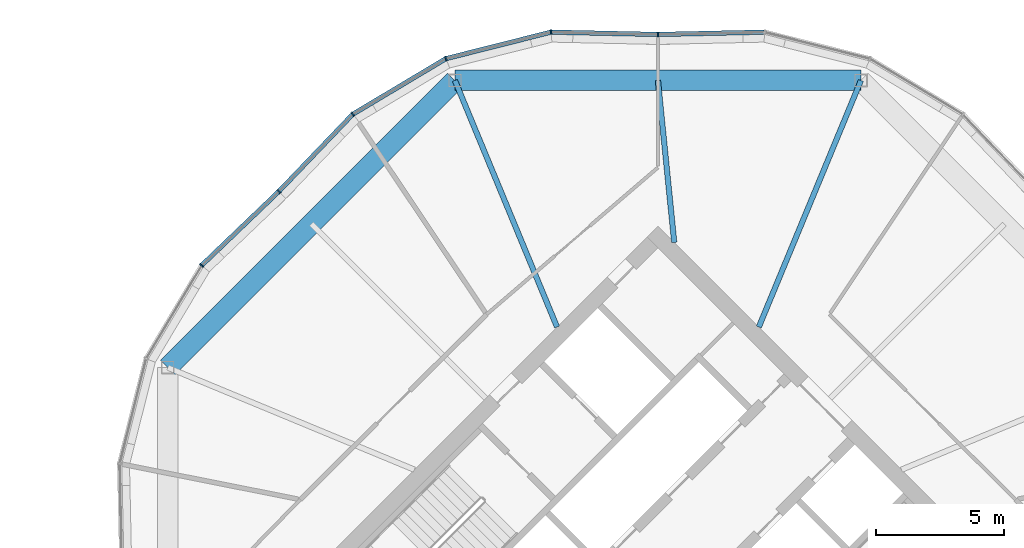
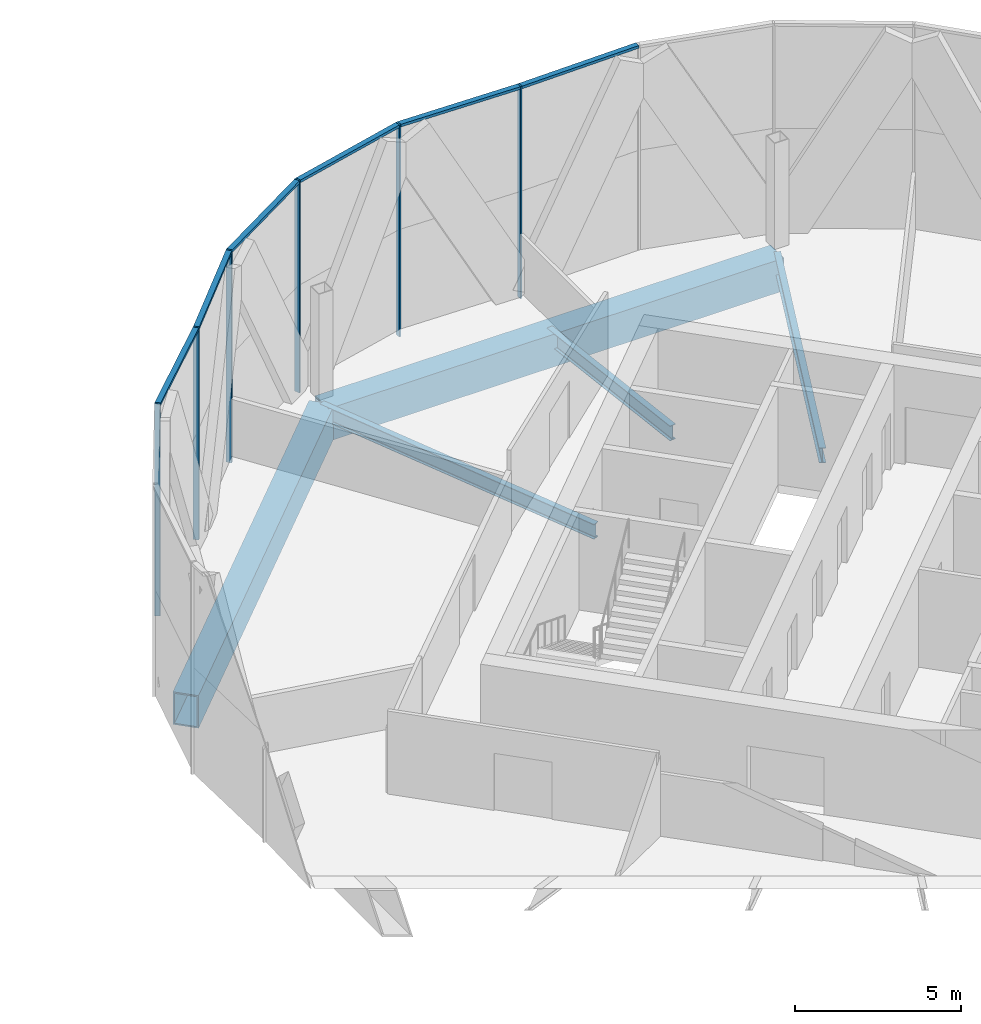
# One storey, part 13 of 26: 12 members, 5 beams, 3 elements without a shape of their own.
"""IFC4 building model written with IfcOpenShell, lengths in metres."""

from ifc_helpers import new_model, si_unit, direction, frame, origin, origin_2d, place, context, subcontext, project, spatial, rectangle, hollow_rectangle, i_section, extrude, material, material_profile, profile_set, type_object, element, aggregate, save


model = new_model("IFC4")

# Units and contexts
model_context = context("Model", 3, precision=1e-05, world=origin(), true_north=direction((0.0, 1.0)))
body_context = subcontext(model_context, "Body", "Model", "MODEL_VIEW")
ifc_project = project(units=[si_unit("LENGTHUNIT", "METRE"), si_unit("AREAUNIT", "SQUARE_METRE"), si_unit("VOLUMEUNIT", "CUBIC_METRE"), si_unit("PLANEANGLEUNIT", "RADIAN"), si_unit("MASSUNIT", "GRAM", prefix="KILO")], contexts=[model_context])

# Site, building, storey
site_placement = place(None, origin())
site = spatial("IfcSite", under=ifc_project, at=site_placement, CompositionType="ELEMENT")
building_placement = place(site_placement, origin())
building = spatial("IfcBuilding", under=site, at=building_placement, Name="Ogive Gate Towers", CompositionType="ELEMENT")
storey_placement = place(building_placement, frame((0.0, 0.0, 208.5)))
storey = spatial("IfcBuildingStorey", under=building, at=storey_placement, Name="L50", CompositionType="ELEMENT", Elevation=208.5)

# Beams
ifc_material_1 = material(Name="Steel SM460", Category="steel")
ifc_material_profile_1 = material_profile(ifc_material_1, hollow_rectangle(XDim=0.800048828125, YDim=1.199951171875, WallThickness=0.050048828125, at=origin_2d()), Name="BX 1200x800x50")
ifc_profile_set_1 = profile_set([ifc_material_profile_1], Name="Steel SM460")
beam_type_1 = type_object("IfcBeamType", Name="Edge girder BX 1200x800x50", PredefinedType="BEAM", material=ifc_profile_set_1)
beam_1_placement = place(storey_placement, frame((43.917724609375, 19.114990234375, -0.89990234375), z_axis=(-1.0, 0.0, 0.0), x_axis=(0.0, -1.0, 0.0)))
element("IfcBeam", 1, at=beam_1_placement, inside=storey, type_object=beam_type_1, Name="T2/L50/SBM022", PredefinedType="BEAM", context=body_context, shape_type="SweptSolid", body=[
    extrude(hollow_rectangle(XDim=0.800048828125, YDim=1.199951171875, WallThickness=0.050048828125, at=origin_2d()), origin(), (0.0, 0.0, 1.0), 15.83544921875),
])
beam_2_placement = place(storey_placement, frame((28.082275390625, 19.114990234375, -0.89990234375), z_axis=(-0.707106781187, -0.707106781187, 0.0), x_axis=(0.707106781187, -0.707106781187, 0.0)))
element("IfcBeam", 2, at=beam_2_placement, inside=storey, type_object=beam_type_1, Name="T2/L50/SBM023", PredefinedType="BEAM", context=body_context, shape_type="SweptSolid", body=[
    extrude(hollow_rectangle(XDim=0.800048828125, YDim=1.199951171875, WallThickness=0.050048828125, at=origin_2d()), origin(), (0.0, 0.0, 1.0), 15.835205078125),
])
ifc_material_2 = material(Name="Steel SM355", Category="steel")
ifc_material_profile_2 = material_profile(ifc_material_2, i_section(OverallWidth=0.2099609375, OverallDepth=0.550048828125, WebThickness=0.010986328125, FlangeThickness=0.01708984375, FilletRadius=0.02392578125, at=origin_2d()), Name="IPE 550")
ifc_profile_set_2 = profile_set([ifc_material_profile_2], Name="Steel SM355")
beam_type_2 = type_object("IfcBeamType", Name="Radial floor beam IPE 550", PredefinedType="BEAM", material=ifc_profile_set_2)
beam_3_placement = place(storey_placement, frame((39.93505859375, 9.5, -0.574951171875), z_axis=(0.382683978464, 0.92387930631, 0.0), x_axis=(-0.92387930631, 0.382683978464, 0.0)))
element("IfcBeam", 3, at=beam_3_placement, inside=storey, type_object=beam_type_2, Name="T2/L50/SBM011", PredefinedType="BEAM", context=body_context, shape_type="SweptSolid", body=[
    extrude(i_section(OverallWidth=0.2099609375, OverallDepth=0.550048828125, WebThickness=0.010986328125, FlangeThickness=0.01708984375, FilletRadius=0.02392578125, at=origin_2d()), origin(), (0.0, 0.0, 1.0), 10.4072265625),
])
beam_4_placement = place(storey_placement, frame((36.636474609375, 12.798583984375, -0.574951171875), z_axis=(-0.100257601488, 0.994961513499, 0.0), x_axis=(-0.994961513499, -0.100257601488, 0.0)))
element("IfcBeam", 4, at=beam_4_placement, inside=storey, type_object=beam_type_2, Name="T2/L50/SBM012", PredefinedType="BEAM", context=body_context, shape_type="SweptSolid", body=[
    extrude(i_section(OverallWidth=0.2099609375, OverallDepth=0.550048828125, WebThickness=0.010986328125, FlangeThickness=0.01708984375, FilletRadius=0.02392578125, at=origin_2d()), origin(), (0.0, 0.0, 1.0), 6.348388671875),
])
beam_5_placement = place(storey_placement, frame((32.06494140625, 9.5, -0.574951171875), z_axis=(-0.382683978464, 0.92387930631, 0.0), x_axis=(-0.92387930631, -0.382683978464, 0.0)))
element("IfcBeam", 5, at=beam_5_placement, inside=storey, type_object=beam_type_2, Name="T2/L50/SBM013", PredefinedType="BEAM", context=body_context, shape_type="SweptSolid", body=[
    extrude(i_section(OverallWidth=0.2099609375, OverallDepth=0.550048828125, WebThickness=0.010986328125, FlangeThickness=0.01708984375, FilletRadius=0.02392578125, at=origin_2d()), origin(), (0.0, 0.0, 1.0), 10.4072265625),
])

# Curtain wall, member
ifc_material_3 = material(Name="Pale metal aluminium", Category="aluminium")
curtain_wall_type = type_object("IfcCurtainWallType", Name="Tower unitised wall, high zone", PredefinedType="NOTDEFINED", material=ifc_material_3)
curtain_wall_1_placement = place(storey_placement, origin())
curtain_wall_1 = element("IfcCurtainWall", 6, at=curtain_wall_1_placement, inside=storey, type_object=curtain_wall_type, Name="CW2 T2 ECW05", PredefinedType="NOTDEFINED")
ifc_material_profile_3 = material_profile(ifc_material_3, rectangle(XDim=0.179931640625, YDim=0.06005859375, at=origin_2d()), Name="60 x 180 aluminium box")
ifc_profile_set_3 = profile_set([ifc_material_profile_3], Name="Pale metal aluminium")
member_type_1 = type_object("IfcMemberType", Name="Tower unitised wall, high zone mullion 60 x 180", PredefinedType="MULLION", material=ifc_profile_set_3)
member_1_placement = place(storey_placement, frame((35.999755859375, 20.909912109375, -0.300048828125), z_axis=(0.0, 0.0, 1.0), x_axis=(0.02183233417, -0.999761646186, 0.0)))
member_1 = element("IfcMember", 7, at=member_1_placement, type_object=member_type_1, Name="CW2 mullion", PredefinedType="MULLION", context=body_context, shape_type="SweptSolid", body=[
    extrude(rectangle(XDim=0.179931640625, YDim=0.06005859375, at=origin_2d()), origin(), (0.0, 0.0, 1.0), 7.800048828125),
])

# Curtain wall, members
curtain_wall_2_placement = place(storey_placement, origin())
curtain_wall_2 = element("IfcCurtainWall", 8, at=curtain_wall_2_placement, inside=storey, type_object=curtain_wall_type, Name="CW2 T2 ECW06", PredefinedType="NOTDEFINED")
member_2_placement = place(storey_placement, frame((21.21435546875, 14.785400390625, -0.300048828125), z_axis=(0.0, 0.0, 1.0), x_axis=(0.722376031129, -0.691500448047, 0.0)))
member_2 = element("IfcMember", 9, at=member_2_placement, type_object=member_type_1, Name="CW2 mullion", PredefinedType="MULLION", context=body_context, shape_type="SweptSolid", body=[
    extrude(rectangle(XDim=0.179931640625, YDim=0.06005859375, at=origin_2d()), origin(), (0.0, 0.0, 1.0), 7.800048828125),
])
member_3_placement = place(storey_placement, frame((24.097412109375, 17.797119140625, -0.300048828125), z_axis=(0.0, 0.0, 1.0), x_axis=(0.623156404308, -0.782097241889, 0.0)))
member_3 = element("IfcMember", 10, at=member_3_placement, type_object=member_type_1, Name="CW2 mullion", PredefinedType="MULLION", context=body_context, shape_type="SweptSolid", body=[
    extrude(rectangle(XDim=0.179931640625, YDim=0.06005859375, at=origin_2d()), origin(), (0.0, 0.0, 1.0), 7.800048828125),
])
member_4_placement = place(storey_placement, frame((27.729736328125, 19.966064453125, -0.300048828125), z_axis=(0.0, 0.0, 1.0), x_axis=(0.382683432365, -0.923879532511, 0.0)))
member_4 = element("IfcMember", 11, at=member_4_placement, type_object=member_type_1, Name="CW2 mullion", PredefinedType="MULLION", context=body_context, shape_type="SweptSolid", body=[
    extrude(rectangle(XDim=0.179931640625, YDim=0.06005859375, at=origin_2d()), origin(), (0.0, 0.0, 1.0), 7.800048828125),
])
member_5_placement = place(storey_placement, frame((31.83203125, 21.0009765625, -0.300048828125), z_axis=(0.0, 0.0, 1.0), x_axis=(0.112405486759, -0.993662420818, 0.0)))
member_5 = element("IfcMember", 12, at=member_5_placement, type_object=member_type_1, Name="CW2 mullion", PredefinedType="MULLION", context=body_context, shape_type="SweptSolid", body=[
    extrude(rectangle(XDim=0.179931640625, YDim=0.06005859375, at=origin_2d()), origin(), (0.0, 0.0, 1.0), 7.800048828125),
])

# Curtain wall, member
curtain_wall_3_placement = place(storey_placement, origin())
curtain_wall_3 = element("IfcCurtainWall", 13, at=curtain_wall_3_placement, inside=storey, type_object=curtain_wall_type, Name="CW2 T2 ECW07", PredefinedType="NOTDEFINED")
member_6_placement = place(storey_placement, frame((18.202880859375, 11.902587890625, -0.300048828125), z_axis=(0.0, 0.0, 1.0), x_axis=(0.782097241889, -0.623156404308, 0.0)))
member_6 = element("IfcMember", 14, at=member_6_placement, type_object=member_type_1, Name="CW2 mullion", PredefinedType="MULLION", context=body_context, shape_type="SweptSolid", body=[
    extrude(rectangle(XDim=0.179931640625, YDim=0.06005859375, at=origin_2d()), origin(), (0.0, 0.0, 1.0), 7.800048828125),
])

# Member
ifc_material_profile_4 = material_profile(ifc_material_3, rectangle(XDim=0.179931640625, YDim=0.10009765625, at=origin_2d()), Name="100 x 180 aluminium box")
ifc_profile_set_4 = profile_set([ifc_material_profile_4], Name="Pale metal aluminium")
member_type_2 = type_object("IfcMemberType", Name="Tower unitised wall, high zone transom 100 x 180", PredefinedType="USERDEFINED", material=ifc_profile_set_4)
member_7_placement = place(storey_placement, frame((36.02978515625, 20.91064453125, 7.449951171875), z_axis=(0.999762101405, 0.021811478493, 0.0), x_axis=(-0.021811478493, 0.999762101405, 0.0)))
member_7 = element("IfcMember", 15, at=member_7_placement, type_object=member_type_2, Name="CW2 transom", ObjectType="TRANSOM", PredefinedType="USERDEFINED", context=body_context, shape_type="SweptSolid", body=[
    extrude(rectangle(XDim=0.179931640625, YDim=0.10009765625, at=origin_2d()), origin(), (0.0, 0.0, 1.0), 4.10791015625),
])

aggregate(curtain_wall_1, [member_1, member_7])

member_8_placement = place(storey_placement, frame((21.235107421875, 14.80712890625, 7.449951171875), z_axis=(0.691484402901, 0.722391390137, 0.0), x_axis=(-0.722391390137, 0.691484402901, 0.0)))
member_8 = element("IfcMember", 16, at=member_8_placement, type_object=member_type_2, Name="CW2 transom", ObjectType="TRANSOM", PredefinedType="USERDEFINED", context=body_context, shape_type="SweptSolid", body=[
    extrude(rectangle(XDim=0.179931640625, YDim=0.10009765625, at=origin_2d()), origin(), (0.0, 0.0, 1.0), 4.107666015625),
])

member_9_placement = place(storey_placement, frame((24.1240234375, 17.813232421875, 7.449951171875), z_axis=(0.858596984075, 0.512651166914, 0.0), x_axis=(-0.512651166914, 0.858596984075, 0.0)))
member_9 = element("IfcMember", 17, at=member_9_placement, type_object=member_type_2, Name="CW2 transom", ObjectType="TRANSOM", PredefinedType="USERDEFINED", context=body_context, shape_type="SweptSolid", body=[
    extrude(rectangle(XDim=0.179931640625, YDim=0.10009765625, at=origin_2d()), origin(), (0.0, 0.0, 1.0), 4.16796875),
])

member_10_placement = place(storey_placement, frame((27.76025390625, 19.973876953125, 7.449951171875), z_axis=(0.96962347372, 0.244602369594, 0.0), x_axis=(-0.244602369594, 0.96962347372, 0.0)))
member_10 = element("IfcMember", 18, at=member_10_placement, type_object=member_type_2, Name="CW2 transom", ObjectType="TRANSOM", PredefinedType="USERDEFINED", context=body_context, shape_type="SweptSolid", body=[
    extrude(rectangle(XDim=0.179931640625, YDim=0.10009765625, at=origin_2d()), origin(), (0.0, 0.0, 1.0), 4.168212890625),
])

member_11_placement = place(storey_placement, frame((31.86328125, 21.000244140625, 7.449951171875), z_axis=(0.999762101405, -0.021811478493, 0.0), x_axis=(0.021811478493, 0.999762101405, 0.0)))
member_11 = element("IfcMember", 19, at=member_11_placement, type_object=member_type_2, Name="CW2 transom", ObjectType="TRANSOM", PredefinedType="USERDEFINED", context=body_context, shape_type="SweptSolid", body=[
    extrude(rectangle(XDim=0.179931640625, YDim=0.10009765625, at=origin_2d()), origin(), (0.0, 0.0, 1.0), 4.10791015625),
])

aggregate(curtain_wall_2, [member_2, member_3, member_8, member_4, member_9, member_5, member_10, member_11])

member_12_placement = place(storey_placement, frame((18.2255859375, 11.924560546875, 7.449951171875), z_axis=(0.722391390137, 0.691484402901, 0.0), x_axis=(-0.691484402901, 0.722391390137, 0.0)))
member_12 = element("IfcMember", 20, at=member_12_placement, type_object=member_type_2, Name="CW2 transom", ObjectType="TRANSOM", PredefinedType="USERDEFINED", context=body_context, shape_type="SweptSolid", body=[
    extrude(rectangle(XDim=0.179931640625, YDim=0.10009765625, at=origin_2d()), origin(), (0.0, 0.0, 1.0), 4.107666015625),
])

aggregate(curtain_wall_3, [member_6, member_12])

save(model, "model.ifc")
